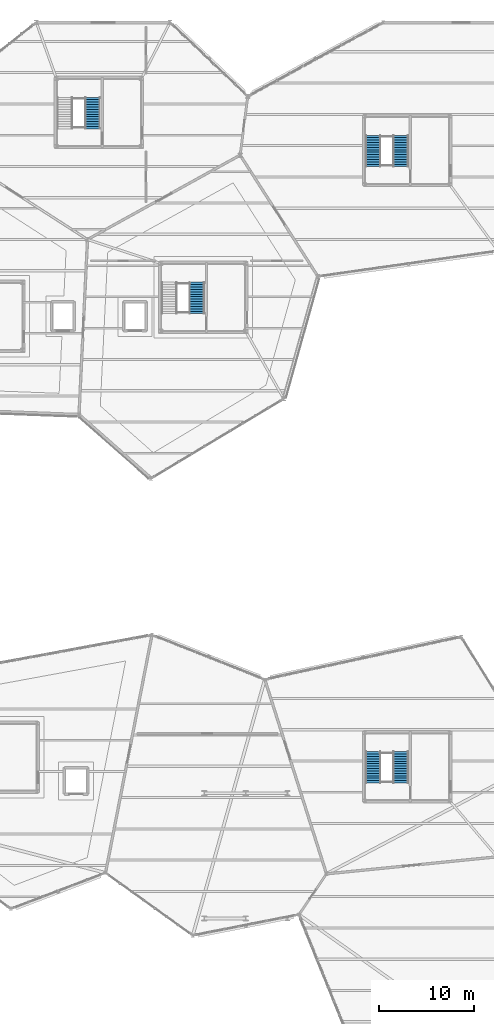
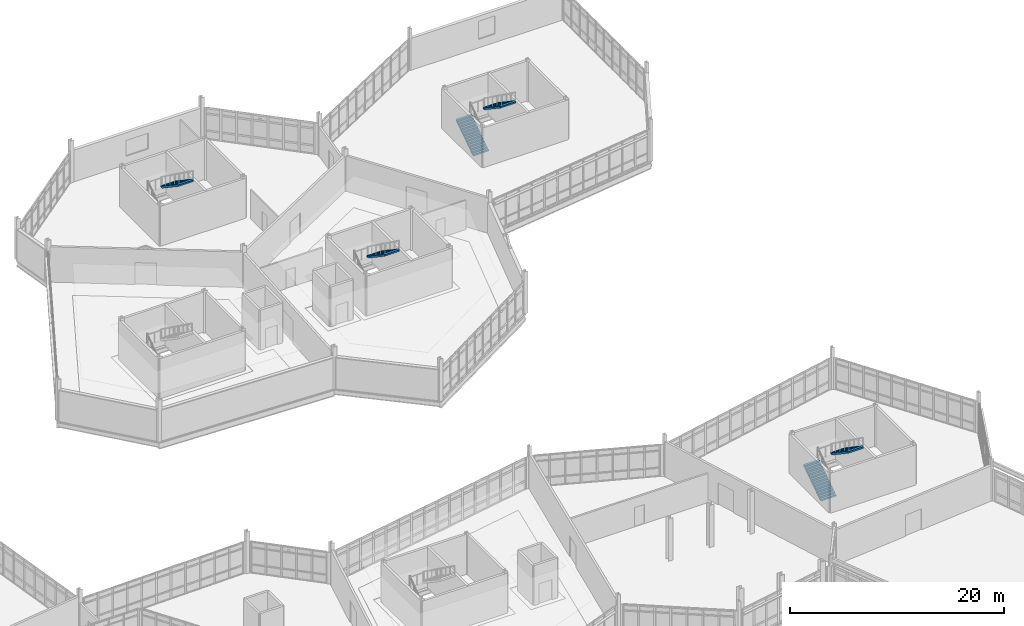
# One storey, part 121 of 134: 6 stair flights, 4 elements without a shape of their own.
"""IFC4 building model written with IfcOpenShell, lengths in metres."""

import ifcopenshell
import ifcopenshell.guid

model = None  # the IFC model being written
_history = None  # IfcOwnerHistory: only IFC2X3 demands one
_inside = {}  # id of a spatial element -> (the spatial element, [elements in it])
_under = {}  # id of a project, library or spatial element -> (it, [spatial elements below it])
_declared = {}  # id of a project -> (the project, [libraries it declares])
_typed = {}  # id of a type object -> (the type object, [elements of that type])
_made_of = {}  # id of a material, layer set ... -> (it, [elements and type objects made of it])


def new_model(schema):
    """Start an empty IFC model of exactly this schema.

    Asked for "IFC4X3", IfcOpenShell would pick the latest addendum, in which some entities
    have other attributes; the version numbers below select the first issue.
    IFC2X3 requires an IfcOwnerHistory on every rooted entity: one is made here for all.
    """
    global model, _history
    if schema == "IFC4X3":
        model = ifcopenshell.file(schema_version=(4, 3, 0, 0))
    else:
        model = ifcopenshell.file(schema=schema)
    _inside.clear()
    _under.clear()
    _declared.clear()
    _typed.clear()
    _made_of.clear()
    _history = None
    if model.schema == "IFC2X3":
        org = make("IfcOrganization", Name="unknown")
        user = make(
            "IfcPersonAndOrganization",
            ThePerson=make("IfcPerson", FamilyName="unknown"),
            TheOrganization=org,
        )
        app = make(
            "IfcApplication",
            ApplicationDeveloper=org,
            Version="unknown",
            ApplicationFullName="unknown",
            ApplicationIdentifier="unknown",
        )
        _history = make(
            "IfcOwnerHistory",
            OwningUser=user,
            OwningApplication=app,
            ChangeAction="ADDED",
            CreationDate=0,
        )
    return model


def make(cls, **values):
    """One entity of the class cls with the attributes given. An attribute that is None is left unset."""
    return model.create_entity(
        cls, **{name: value for name, value in values.items() if value is not None}
    )


def rooted(cls, **values):
    """An entity with a GlobalId (a new one), such as an element, a storey or a relation."""
    return make(cls, GlobalId=ifcopenshell.guid.new(), OwnerHistory=_history, **values)


def si_unit(unit_type, name, prefix=None):
    """IfcSIUnit, for example si_unit("LENGTHUNIT", "METRE", prefix="MILLI")."""
    return make("IfcSIUnit", UnitType=unit_type, Prefix=prefix, Name=name)


def assignment(units):
    """IfcUnitAssignment: the units of a project."""
    return None if units is None else make("IfcUnitAssignment", Units=units)


def point(xyz):
    """IfcCartesianPoint."""
    return None if xyz is None else make("IfcCartesianPoint", Coordinates=xyz)


def direction(xyz):
    """IfcDirection."""
    return None if xyz is None else make("IfcDirection", DirectionRatios=xyz)


def frame(location, z_axis=None, x_axis=None):
    """IfcAxis2Placement3D, a coordinate frame: its origin and axes. An axis left out is left unset."""
    return make(
        "IfcAxis2Placement3D",
        Location=point(location),
        Axis=direction(z_axis),
        RefDirection=direction(x_axis),
    )


def origin():
    """The frame at (0, 0, 0) with its axes left unset."""
    return frame((0.0, 0.0, 0.0))


def place(relative_to, where):
    """IfcLocalPlacement: puts the frame where relative to a parent placement (None: the world)."""
    return make(
        "IfcLocalPlacement", PlacementRelTo=relative_to, RelativePlacement=where
    )


def context(
    kind, dimensions, precision=None, world=None, true_north=None, identifier=None
):
    """IfcGeometricRepresentationContext, for example the 3D "Model" context."""
    return make(
        "IfcGeometricRepresentationContext",
        ContextIdentifier=identifier,
        ContextType=kind,
        CoordinateSpaceDimension=dimensions,
        Precision=precision,
        WorldCoordinateSystem=world,
        TrueNorth=true_north,
    )


def subcontext(parent, identifier, kind, view, scale=None):
    """IfcGeometricRepresentationSubContext, for example "Body" below "Model"."""
    return make(
        "IfcGeometricRepresentationSubContext",
        ContextIdentifier=identifier,
        ContextType=kind,
        ParentContext=parent,
        TargetScale=scale,
        TargetView=view,
    )


def project(units=None, contexts=None):
    """IfcProject with its units and contexts."""
    return rooted(
        "IfcProject",
        Name="project",
        RepresentationContexts=contexts,
        UnitsInContext=assignment(units),
    )


def spatial(cls, under=None, at=None, **own):
    """A site, building, storey or space (cls), placed at a placement, below another one or the project."""
    s = rooted(cls, ObjectPlacement=at, **own)
    if under is not None:
        _under.setdefault(under.id(), (under, []))[1].append(s)
    return s


def polyline(points):
    """IfcPolyline through the points."""
    return make("IfcPolyline", Points=[point(p) for p in points])


def outline(outer, holes=None, kind="AREA"):
    """IfcArbitraryClosedProfileDef: a profile drawn as a closed curve; with holes, ...WithVoids."""
    if holes is None:
        return make("IfcArbitraryClosedProfileDef", ProfileType=kind, OuterCurve=outer)
    return make(
        "IfcArbitraryProfileDefWithVoids",
        ProfileType=kind,
        OuterCurve=outer,
        InnerCurves=holes,
    )


def extrude(swept, where, along, depth):
    """IfcExtrudedAreaSolid: the profile swept, set in the frame where, extruded along a direction by depth."""
    return make(
        "IfcExtrudedAreaSolid",
        SweptArea=swept,
        Position=where,
        ExtrudedDirection=direction(along),
        Depth=depth,
    )


def shape(context_of_items, identifier, shape_type, items):
    """IfcShapeRepresentation: the items that make up one representation, for example the "Body"."""
    return make(
        "IfcShapeRepresentation",
        ContextOfItems=context_of_items,
        RepresentationIdentifier=identifier,
        RepresentationType=shape_type,
        Items=items,
    )


def material(Name=None, Category=None):
    """IfcMaterial."""
    return make("IfcMaterial", Name=Name, Category=Category)


def made_of(thing, what):
    """Note that an element or type object is made of a material, layer set ...; save() writes the relation."""
    if what is not None:
        _made_of.setdefault(what.id(), (what, []))[1].append(thing)
    return thing


def type_object(cls, material=None, **own):
    """A type object (cls), such as IfcWallType, which elements share."""
    return made_of(rooted(cls, **own), material)


def element(
    cls,
    number,
    at=None,
    inside=None,
    cuts=None,
    type_object=None,
    material=None,
    context=None,
    identifier="Body",
    shape_type=None,
    held_by="IfcProductDefinitionShape",
    body=None,
    shapes=None,
    **own,
):
    """One element of the class cls, such as IfcWall. Its Tag is "e" and its number.

    at: its placement. inside: the storey or other place that contains it. cuts: it is an
    opening in that element (IfcRelVoidsElement). A single representation is given by context,
    identifier, shape_type and body (its items); several are given by shapes. held_by: the class
    of the entity that holds the representations. save() writes the other relations.
    """
    e = rooted(cls, Tag="e%d" % number, ObjectPlacement=at, **own)
    if body is not None:
        shapes = [shape(context, identifier, shape_type, body)]
    if shapes is not None:
        e.Representation = make(held_by, Representations=shapes)
    if inside is not None:
        _inside.setdefault(inside.id(), (inside, []))[1].append(e)
    if cuts is not None:
        rooted(
            "IfcRelVoidsElement", RelatingBuildingElement=cuts, RelatedOpeningElement=e
        )
    if type_object is not None:
        _typed.setdefault(type_object.id(), (type_object, []))[1].append(e)
    return made_of(e, material)


def aggregate(whole, parts):
    """IfcRelAggregates: a whole, such as a stair, and the parts it consists of."""
    return rooted("IfcRelAggregates", RelatingObject=whole, RelatedObjects=parts)


def save(model, path):
    """Write the relations noted so far, then the file.

    IfcRelAggregates (storeys below a building ...), IfcRelContainedInSpatialStructure (elements
    in a storey), IfcRelDefinesByType, IfcRelAssociatesMaterial and IfcRelDeclares: one each for
    every whole, place, type object, material and project.
    """
    for whole, parts in _under.values():
        aggregate(whole, parts)
    for where, things in _inside.values():
        rooted(
            "IfcRelContainedInSpatialStructure",
            RelatedElements=things,
            RelatingStructure=where,
        )
    for kind, things in _typed.values():
        rooted("IfcRelDefinesByType", RelatedObjects=things, RelatingType=kind)
    for what, things in _made_of.values():
        rooted("IfcRelAssociatesMaterial", RelatedObjects=things, RelatingMaterial=what)
    for by, libraries in _declared.values():
        rooted("IfcRelDeclares", RelatingContext=by, RelatedDefinitions=libraries)
    model.write(path)


model = new_model("IFC4")

# Units and contexts
model_context = context("Model", 3, precision=1e-05, world=origin(), true_north=direction((0.0, 1.0)))
body_context = subcontext(model_context, "Body", "Model", "MODEL_VIEW")
ifc_project = project(units=[si_unit("LENGTHUNIT", "METRE"), si_unit("AREAUNIT", "SQUARE_METRE"), si_unit("VOLUMEUNIT", "CUBIC_METRE"), si_unit("PLANEANGLEUNIT", "RADIAN"), si_unit("MASSUNIT", "GRAM", prefix="KILO")], contexts=[model_context])

# Site, building, storey
site_placement = place(None, origin())
site = spatial("IfcSite", under=ifc_project, at=site_placement, CompositionType="ELEMENT")
building_placement = place(site_placement, origin())
building = spatial("IfcBuilding", under=site, at=building_placement, Name="Tameran Prism Museum", CompositionType="ELEMENT")
storey_placement = place(building_placement, frame((0.0, 0.0, 5.39990234375)))
storey = spatial("IfcBuildingStorey", under=building, at=storey_placement, Name="L01", CompositionType="ELEMENT", Elevation=5.39990234375)

# Stair, stair flight
ifc_material_1 = material(Name="Concrete N40 (40 MPa)", Category="concrete")
stair_type = type_object("IfcStairType", Name="ST-CORE-48", PredefinedType="HALF_TURN_STAIR", material=ifc_material_1)
stair_1_placement = place(storey_placement, origin())
stair_1 = element("IfcStair", 1, at=stair_1_placement, inside=storey, type_object=stair_type, Name="Fire-Isolated Stair ST-02-L01", PredefinedType="HALF_TURN_STAIR")
ifc_material_2 = material(Name="Concrete N40 (40 MPa)", Category="concrete")
stair_flight_type = type_object("IfcStairFlightType", Name="SF-RC-165", PredefinedType="STRAIGHT", material=ifc_material_2)
stair_flight_1_placement = place(storey_placement, frame((130.3349609375, 84.594970703125, 2.400146484375), z_axis=(0.0, 0.0, 1.0), x_axis=(0.0, -1.0, 0.0)))
stair_flight_1 = element("IfcStairFlight", 2, at=stair_flight_1_placement, type_object=stair_flight_type, Name="ST-02-L01 flight 2", NumberOfRisers=14, NumberOfTreads=13, PredefinedType="STRAIGHT", RiserHeight=0.171429, TreadLength=0.255, context=body_context, shape_type="SweptSolid", body=[
    extrude(outline(polyline([(0.0, 0.0), (0.0, 0.17138671875), (0.2548828125, 0.17138671875), (0.2548828125, 0.3427734375), (0.510009765625, 0.3427734375), (0.510009765625, 0.514404296875), (0.764892578125, 0.514404296875), (0.764892578125, 0.685791015625), (1.02001953125, 0.685791015625), (1.02001953125, 0.857177734375), (1.27490234375, 0.857177734375), (1.27490234375, 1.028564453125), (1.530029296875, 1.028564453125), (1.530029296875, 1.199951171875), (1.784912109375, 1.199951171875), (1.784912109375, 1.371337890625), (2.0400390625, 1.371337890625), (2.0400390625, 1.54296875), (2.294921875, 1.54296875), (2.294921875, 1.71435546875), (2.550048828125, 1.71435546875), (2.550048828125, 1.8857421875), (2.804931640625, 1.8857421875), (2.804931640625, 2.05712890625), (3.06005859375, 2.05712890625), (3.06005859375, 2.228515625), (3.31494140625, 2.228515625), (3.31494140625, 2.39990234375), (3.31494140625, 2.0478515625), (0.268798828125, 0.0), (0.0, 0.0)])), frame((0.0, 0.824951171875, 0.0), z_axis=(0.0, -1.0, 0.0), x_axis=(1.0, 0.0, 0.0)), (0.0, 0.0, 1.0), 1.64990234375),
])
aggregate(stair_1, [stair_flight_1])

stair_2_placement = place(storey_placement, origin())
stair_2 = element("IfcStair", 3, at=stair_2_placement, inside=storey, type_object=stair_type, Name="Fire-Isolated Stair ST-07-L01", PredefinedType="HALF_TURN_STAIR")
stair_flight_2_placement = place(storey_placement, frame((119.3349609375, 104.094970703125, 2.400146484375), z_axis=(0.0, 0.0, 1.0), x_axis=(0.0, -1.0, 0.0)))
stair_flight_2 = element("IfcStairFlight", 4, at=stair_flight_2_placement, type_object=stair_flight_type, Name="ST-07-L01 flight 2", NumberOfRisers=14, NumberOfTreads=13, PredefinedType="STRAIGHT", RiserHeight=0.171429, TreadLength=0.255, context=body_context, shape_type="SweptSolid", body=[
    extrude(outline(polyline([(0.0, 0.0), (0.0, 0.17138671875), (0.2548828125, 0.17138671875), (0.2548828125, 0.3427734375), (0.510009765625, 0.3427734375), (0.510009765625, 0.514404296875), (0.764892578125, 0.514404296875), (0.764892578125, 0.685791015625), (1.02001953125, 0.685791015625), (1.02001953125, 0.857177734375), (1.27490234375, 0.857177734375), (1.27490234375, 1.028564453125), (1.530029296875, 1.028564453125), (1.530029296875, 1.199951171875), (1.784912109375, 1.199951171875), (1.784912109375, 1.371337890625), (2.0400390625, 1.371337890625), (2.0400390625, 1.54296875), (2.294921875, 1.54296875), (2.294921875, 1.71435546875), (2.550048828125, 1.71435546875), (2.550048828125, 1.8857421875), (2.804931640625, 1.8857421875), (2.804931640625, 2.05712890625), (3.06005859375, 2.05712890625), (3.06005859375, 2.228515625), (3.31494140625, 2.228515625), (3.31494140625, 2.39990234375), (3.31494140625, 2.0478515625), (0.268798828125, 0.0), (0.0, 0.0)])), frame((0.0, 0.824951171875, 0.0), z_axis=(0.0, -1.0, 0.0), x_axis=(1.0, 0.0, 0.0)), (0.0, 0.0, 1.0), 1.64990234375),
])
aggregate(stair_2, [stair_flight_2])

# Stair, stair flights
stair_3_placement = place(storey_placement, origin())
stair_3 = element("IfcStair", 5, at=stair_3_placement, inside=storey, type_object=stair_type, Name="Fire-Isolated Stair ST-11-L01", PredefinedType="HALF_TURN_STAIR")
stair_flight_3_placement = place(storey_placement, frame((148.9150390625, 96.780029296875, 0.0), z_axis=(0.0, 0.0, 1.0), x_axis=(0.0, 1.0, 0.0)))
stair_flight_3 = element("IfcStairFlight", 6, at=stair_flight_3_placement, type_object=stair_flight_type, Name="ST-11-L01 flight 1", NumberOfRisers=14, NumberOfTreads=13, PredefinedType="STRAIGHT", RiserHeight=0.171429, TreadLength=0.255, context=body_context, shape_type="SweptSolid", body=[
    extrude(outline(polyline([(0.0, 0.0), (0.0, 0.17138671875), (0.2548828125, 0.17138671875), (0.2548828125, 0.3427734375), (0.510009765625, 0.3427734375), (0.510009765625, 0.514404296875), (0.764892578125, 0.514404296875), (0.764892578125, 0.685791015625), (1.02001953125, 0.685791015625), (1.02001953125, 0.857177734375), (1.27490234375, 0.857177734375), (1.27490234375, 1.028564453125), (1.530029296875, 1.028564453125), (1.530029296875, 1.199951171875), (1.784912109375, 1.199951171875), (1.784912109375, 1.371337890625), (2.0400390625, 1.371337890625), (2.0400390625, 1.54296875), (2.294921875, 1.54296875), (2.294921875, 1.71435546875), (2.550048828125, 1.71435546875), (2.550048828125, 1.8857421875), (2.804931640625, 1.8857421875), (2.804931640625, 2.05712890625), (3.06005859375, 2.05712890625), (3.06005859375, 2.228515625), (3.31494140625, 2.228515625), (3.31494140625, 2.39990234375), (3.31494140625, 2.0478515625), (0.268798828125, 0.0), (0.0, 0.0)])), frame((0.0, 0.824951171875, 0.0), z_axis=(0.0, -1.0, 0.0), x_axis=(1.0, 0.0, 0.0)), (0.0, 0.0, 1.0), 1.64990234375),
])
stair_flight_4_placement = place(storey_placement, frame((151.8349609375, 100.094970703125, 2.400146484375), z_axis=(0.0, 0.0, 1.0), x_axis=(0.0, -1.0, 0.0)))
stair_flight_4 = element("IfcStairFlight", 7, at=stair_flight_4_placement, type_object=stair_flight_type, Name="ST-11-L01 flight 2", NumberOfRisers=14, NumberOfTreads=13, PredefinedType="STRAIGHT", RiserHeight=0.171429, TreadLength=0.255, context=body_context, shape_type="SweptSolid", body=[
    extrude(outline(polyline([(0.0, 0.0), (0.0, 0.17138671875), (0.2548828125, 0.17138671875), (0.2548828125, 0.3427734375), (0.510009765625, 0.3427734375), (0.510009765625, 0.514404296875), (0.764892578125, 0.514404296875), (0.764892578125, 0.685791015625), (1.02001953125, 0.685791015625), (1.02001953125, 0.857177734375), (1.27490234375, 0.857177734375), (1.27490234375, 1.028564453125), (1.530029296875, 1.028564453125), (1.530029296875, 1.199951171875), (1.784912109375, 1.199951171875), (1.784912109375, 1.371337890625), (2.0400390625, 1.371337890625), (2.0400390625, 1.54296875), (2.294921875, 1.54296875), (2.294921875, 1.71435546875), (2.550048828125, 1.71435546875), (2.550048828125, 1.8857421875), (2.804931640625, 1.8857421875), (2.804931640625, 2.05712890625), (3.06005859375, 2.05712890625), (3.06005859375, 2.228515625), (3.31494140625, 2.228515625), (3.31494140625, 2.39990234375), (3.31494140625, 2.0478515625), (0.268798828125, 0.0), (0.0, 0.0)])), frame((0.0, 0.824951171875, 0.0), z_axis=(0.0, -1.0, 0.0), x_axis=(1.0, 0.0, 0.0)), (0.0, 0.0, 1.0), 1.64990234375),
])
aggregate(stair_3, [stair_flight_3, stair_flight_4])

stair_4_placement = place(storey_placement, origin())
stair_4 = element("IfcStair", 8, at=stair_4_placement, inside=storey, type_object=stair_type, Name="Fire-Isolated Stair ST-13-L01", PredefinedType="HALF_TURN_STAIR")
stair_flight_5_placement = place(storey_placement, frame((148.9150390625, 31.780029296875, 0.0), z_axis=(0.0, 0.0, 1.0), x_axis=(0.0, 1.0, 0.0)))
stair_flight_5 = element("IfcStairFlight", 9, at=stair_flight_5_placement, type_object=stair_flight_type, Name="ST-13-L01 flight 1", NumberOfRisers=14, NumberOfTreads=13, PredefinedType="STRAIGHT", RiserHeight=0.171429, TreadLength=0.255, context=body_context, shape_type="SweptSolid", body=[
    extrude(outline(polyline([(0.0, 0.0), (0.0, 0.17138671875), (0.2548828125, 0.17138671875), (0.2548828125, 0.3427734375), (0.510009765625, 0.3427734375), (0.510009765625, 0.514404296875), (0.764892578125, 0.514404296875), (0.764892578125, 0.685791015625), (1.02001953125, 0.685791015625), (1.02001953125, 0.857177734375), (1.27490234375, 0.857177734375), (1.27490234375, 1.028564453125), (1.530029296875, 1.028564453125), (1.530029296875, 1.199951171875), (1.784912109375, 1.199951171875), (1.784912109375, 1.371337890625), (2.0400390625, 1.371337890625), (2.0400390625, 1.54296875), (2.294921875, 1.54296875), (2.294921875, 1.71435546875), (2.550048828125, 1.71435546875), (2.550048828125, 1.8857421875), (2.804931640625, 1.8857421875), (2.804931640625, 2.05712890625), (3.06005859375, 2.05712890625), (3.06005859375, 2.228515625), (3.31494140625, 2.228515625), (3.31494140625, 2.39990234375), (3.31494140625, 2.0478515625), (0.268798828125, 0.0), (0.0, 0.0)])), frame((0.0, 0.824951171875, 0.0), z_axis=(0.0, -1.0, 0.0), x_axis=(1.0, 0.0, 0.0)), (0.0, 0.0, 1.0), 1.64990234375),
])
stair_flight_6_placement = place(storey_placement, frame((151.8349609375, 35.094970703125, 2.400146484375), z_axis=(0.0, 0.0, 1.0), x_axis=(0.0, -1.0, 0.0)))
stair_flight_6 = element("IfcStairFlight", 10, at=stair_flight_6_placement, type_object=stair_flight_type, Name="ST-13-L01 flight 2", NumberOfRisers=14, NumberOfTreads=13, PredefinedType="STRAIGHT", RiserHeight=0.171429, TreadLength=0.255, context=body_context, shape_type="SweptSolid", body=[
    extrude(outline(polyline([(0.0, 0.0), (0.0, 0.17138671875), (0.2548828125, 0.17138671875), (0.2548828125, 0.3427734375), (0.510009765625, 0.3427734375), (0.510009765625, 0.514404296875), (0.764892578125, 0.514404296875), (0.764892578125, 0.685791015625), (1.02001953125, 0.685791015625), (1.02001953125, 0.857177734375), (1.27490234375, 0.857177734375), (1.27490234375, 1.028564453125), (1.530029296875, 1.028564453125), (1.530029296875, 1.199951171875), (1.784912109375, 1.199951171875), (1.784912109375, 1.371337890625), (2.0400390625, 1.371337890625), (2.0400390625, 1.54296875), (2.294921875, 1.54296875), (2.294921875, 1.71435546875), (2.550048828125, 1.71435546875), (2.550048828125, 1.8857421875), (2.804931640625, 1.8857421875), (2.804931640625, 2.05712890625), (3.06005859375, 2.05712890625), (3.06005859375, 2.228515625), (3.31494140625, 2.228515625), (3.31494140625, 2.39990234375), (3.31494140625, 2.0478515625), (0.268798828125, 0.0), (0.0, 0.0)])), frame((0.0, 0.824951171875, 0.0), z_axis=(0.0, -1.0, 0.0), x_axis=(1.0, 0.0, 0.0)), (0.0, 0.0, 1.0), 1.64990234375),
])
aggregate(stair_4, [stair_flight_5, stair_flight_6])

save(model, "model.ifc")
